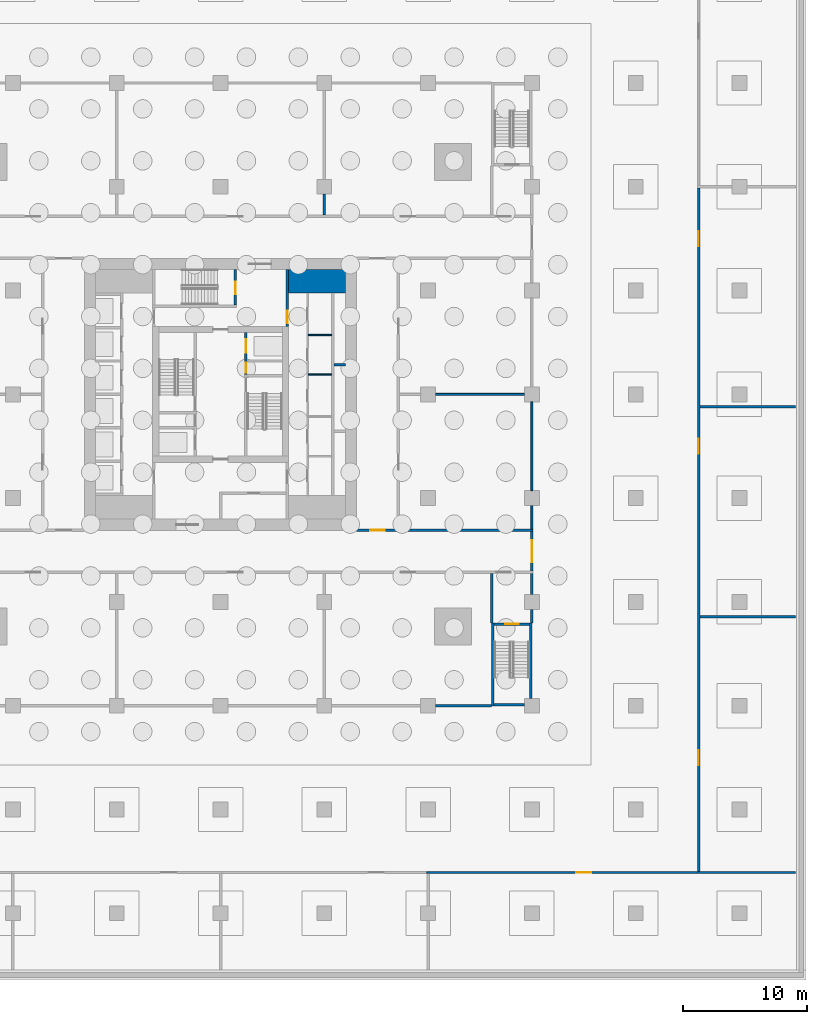
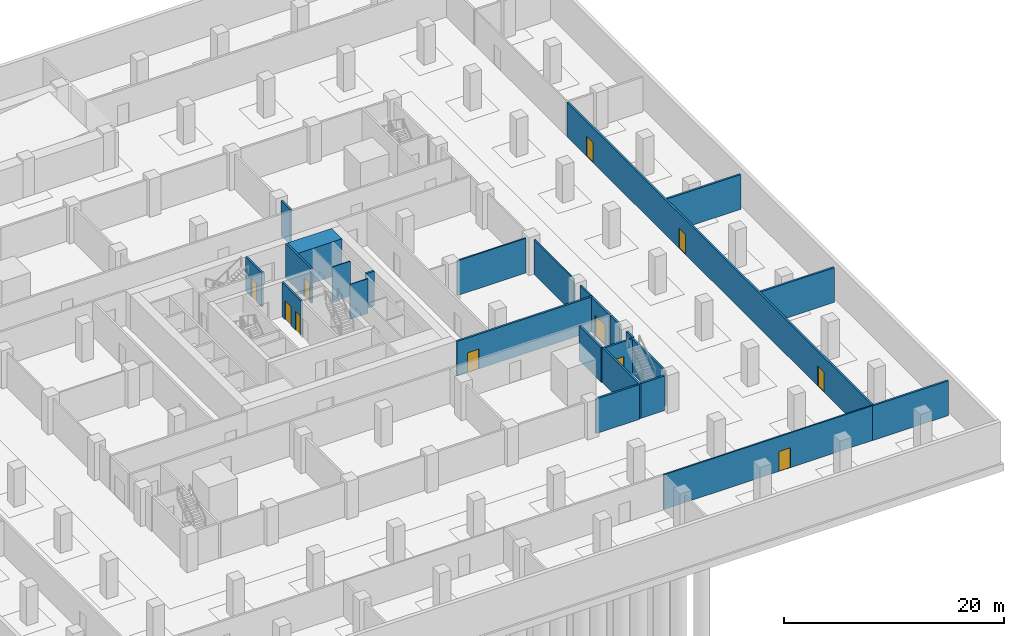
# One storey, part 9 of 19: 26 walls, 11 doors, 11 openings.
"""IFC4 building model written with IfcOpenShell, lengths in metres."""

from ifc_helpers import new_model, si_unit, direction, frame, frame_2d, origin, place, context, subcontext, project, spatial, rectangle, extrude, material, layer, layer_set, type_object, element, fill, save


model = new_model("IFC4")

# Units and contexts
model_context = context("Model", 3, precision=1e-05, world=origin(), true_north=direction((0.0, 1.0)))
body_context = subcontext(model_context, "Body", "Model", "MODEL_VIEW")
ifc_project = project(units=[si_unit("LENGTHUNIT", "METRE"), si_unit("AREAUNIT", "SQUARE_METRE"), si_unit("VOLUMEUNIT", "CUBIC_METRE"), si_unit("PLANEANGLEUNIT", "RADIAN"), si_unit("MASSUNIT", "GRAM", prefix="KILO")], contexts=[model_context])

# Site, building, storey
site_placement = place(None, origin())
site = spatial("IfcSite", under=ifc_project, at=site_placement, CompositionType="ELEMENT")
building_placement = place(site_placement, origin())
building = spatial("IfcBuilding", under=site, at=building_placement, Name="Khepri Terraces", CompositionType="ELEMENT")
storey_placement = place(building_placement, frame((0.0, 0.0, -8.39990234375)))
storey = spatial("IfcBuildingStorey", under=building, at=storey_placement, Name="B2", CompositionType="ELEMENT", Elevation=-8.39990234375)

# Wall
ifc_material_1 = material(Name="Concrete C80/95", Category="concrete")
ifc_layer_1 = layer(ifc_material_1, 1.89990234375, Name="Concrete C80/95", Category="concrete")
ifc_layer_set_1 = layer_set([ifc_layer_1], Name="Concrete C80/95")
wall_type_1 = type_object("IfcWallType", Name="Core wall 1900 C80/95", PredefinedType="SHEAR", material=ifc_layer_set_1)
wall_1_placement = place(storey_placement, frame((5.5, 9.14990234375, 0.0), z_axis=(0.0, 0.0, 1.0), x_axis=(1.0, 0.0, 0.0)))
element("IfcWall", 1, at=wall_1_placement, inside=storey, type_object=wall_type_1, Name="Core wall PR04 B2", PredefinedType="SHEAR", context=body_context, shape_type="SweptSolid", body=[
    extrude(rectangle(XDim=4.60009765625, YDim=1.89990234375, at=frame_2d((2.300048828125, 0.0))), origin(), (0.0, 0.0, 1.0), 3.849853515625),
])

# Wall, opening, door
ifc_layer_2 = layer(ifc_material_1, 0.199951171875, Name="Concrete C80/95", Category="concrete")
ifc_layer_set_2 = layer_set([ifc_layer_2], Name="Concrete C80/95")
wall_type_2 = type_object("IfcWallType", Name="Core wall 200 C80/95", PredefinedType="SHEAR", material=ifc_layer_set_2)
wall_2_placement = place(storey_placement, frame((1.199951171875, 7.25, 0.0), z_axis=(0.0, 0.0, 1.0), x_axis=(0.0, 1.0, 0.0)))
wall_2 = element("IfcWall", 2, at=wall_2_placement, inside=storey, type_object=wall_type_2, Name="Core wall ST07 B2", PredefinedType="SHEAR", context=body_context, shape_type="SweptSolid", body=[
    extrude(rectangle(XDim=2.85009765625, YDim=0.199951171875, at=frame_2d((1.425048828125, 0.0))), origin(), (0.0, 0.0, 1.0), 3.849853515625),
])
opening_1_placement = place(wall_2_placement, frame((0.85009765625, 0.0, 0.0)))
opening_1 = element("IfcOpeningElement", 3, at=opening_1_placement, cuts=wall_2, Name="Opening B2-C15", PredefinedType="OPENING", context=body_context, shape_type="SweptSolid", body=[
    extrude(rectangle(XDim=1.0, YDim=2.10009765625, at=frame_2d((0.5, 1.050048828125))), frame((0.0, 0.10986328125, 0.0), z_axis=(0.0, -1.0, 0.0), x_axis=(1.0, 0.0, 0.0)), (0.0, 0.0, 1.0), 0.219970703125),
])
ifc_material_2 = material(Name="Painted steel", Category="steel")
door_type_1 = type_object("IfcDoorType", Name="DR-CORE-STAIR-1000", OperationType="NOTDEFINED", PredefinedType="DOOR", material=ifc_material_2)
door_1_placement = place(opening_1_placement, origin())
door_1 = element("IfcDoor", 4, at=door_1_placement, inside=storey, type_object=door_type_1, Name="Stair door B2-C15", OperationType="SINGLE_SWING_LEFT", OverallHeight=2.10009765625, OverallWidth=1.0, PredefinedType="DOOR", context=body_context, shape_type="SweptSolid", body=[
    extrude(rectangle(XDim=1.0, YDim=2.10009765625, at=frame_2d((0.5, 1.050048828125))), frame((0.0, 0.02490234375, 0.0), z_axis=(0.0, -1.0, 0.0), x_axis=(1.0, 0.0, 0.0)), (0.0, 0.0, 1.0), 0.050048828125),
])
fill(opening_1, door_1)

# Wall, openings, doors
wall_3_placement = place(storey_placement, frame((2.050048828125, 1.60009765625, 0.0), z_axis=(0.0, 0.0, 1.0), x_axis=(0.0, 1.0, 0.0)))
wall_3 = element("IfcWall", 5, at=wall_3_placement, inside=storey, type_object=wall_type_2, Name="Core wall SH10 B2", PredefinedType="SHEAR", context=body_context, shape_type="SweptSolid", body=[
    extrude(rectangle(XDim=3.39990234375, YDim=0.199951171875, at=frame_2d((1.699951171875, 0.0))), origin(), (0.0, 0.0, 1.0), 3.849853515625),
])
opening_2_placement = place(wall_3_placement, frame((1.75, 0.0, 0.0)))
opening_2 = element("IfcOpeningElement", 6, at=opening_2_placement, cuts=wall_3, Name="Opening B2-C07", PredefinedType="OPENING", context=body_context, shape_type="SweptSolid", body=[
    extrude(rectangle(XDim=1.10009765625, YDim=2.10009765625, at=frame_2d((0.550048828125, 1.050048828125))), frame((0.0, 0.10986328125, 0.0), z_axis=(0.0, -1.0, 0.0), x_axis=(1.0, 0.0, 0.0)), (0.0, 0.0, 1.0), 0.219970703125),
])
opening_3_placement = place(wall_3_placement, frame((0.14990234375, 0.0, 0.0)))
opening_3 = element("IfcOpeningElement", 7, at=opening_3_placement, cuts=wall_3, Name="Opening B2-C11", PredefinedType="OPENING", context=body_context, shape_type="SweptSolid", body=[
    extrude(rectangle(XDim=0.800048828125, YDim=2.10009765625, at=frame_2d((0.39990234375, 1.050048828125))), frame((0.0, 0.10986328125, 0.0), z_axis=(0.0, -1.0, 0.0), x_axis=(1.0, 0.0, 0.0)), (0.0, 0.0, 1.0), 0.219970703125),
])
ifc_material_3 = material(Name="Stainless steel 304", Category="steel")
door_type_2 = type_object("IfcDoorType", Name="DR-CORE-FF-LANDING-1100", OperationType="NOTDEFINED", PredefinedType="DOOR", material=ifc_material_3)
door_2_placement = place(opening_2_placement, origin())
door_2 = element("IfcDoor", 8, at=door_2_placement, inside=storey, type_object=door_type_2, Name="Firefighting lift landing door B2-C07", OperationType="SLIDING_TO_LEFT", OverallHeight=2.10009765625, OverallWidth=1.10009765625, PredefinedType="DOOR", context=body_context, shape_type="SweptSolid", body=[
    extrude(rectangle(XDim=1.10009765625, YDim=2.10009765625, at=frame_2d((0.550048828125, 1.050048828125))), frame((0.0, 0.02490234375, 0.0), z_axis=(0.0, -1.0, 0.0), x_axis=(1.0, 0.0, 0.0)), (0.0, 0.0, 1.0), 0.050048828125),
])
fill(opening_2, door_2)
door_type_3 = type_object("IfcDoorType", Name="DR-CORE-RISER-800", OperationType="NOTDEFINED", PredefinedType="DOOR", material=ifc_material_2)
door_3_placement = place(opening_3_placement, frame((0.800048828125, 0.0, 0.0), z_axis=(0.0, 0.0, 1.0), x_axis=(-1.0, 0.0, 0.0)))
door_3 = element("IfcDoor", 9, at=door_3_placement, inside=storey, type_object=door_type_3, Name="Riser door B2-C11", OperationType="SINGLE_SWING_RIGHT", OverallHeight=2.10009765625, OverallWidth=0.800048828125, PredefinedType="DOOR", context=body_context, shape_type="SweptSolid", body=[
    extrude(rectangle(XDim=0.800048828125, YDim=2.10009765625, at=frame_2d((0.39990234375, 1.050048828125))), frame((0.0, 0.02490234375, 0.0), z_axis=(0.0, -1.0, 0.0), x_axis=(1.0, 0.0, 0.0)), (0.0, 0.0, 1.0), 0.050048828125),
])
fill(opening_3, door_3)

# Walls
wall_4_placement = place(storey_placement, frame((9.199951171875, 2.39990234375, 0.0), z_axis=(0.0, 0.0, 1.0), x_axis=(1.0, 0.0, 0.0)))
element("IfcWall", 10, at=wall_4_placement, inside=storey, type_object=wall_type_2, Name="Core wall SH11 B2", PredefinedType="SHEAR", context=body_context, shape_type="SweptSolid", body=[
    extrude(rectangle(XDim=0.900146484375, YDim=0.199951171875, at=frame_2d((0.4501953125, 0.0))), origin(), (0.0, 0.0, 1.0), 3.849853515625),
])
ifc_material_4 = material(Name="Fire-rated gypsum board partition")
ifc_layer_3 = layer(ifc_material_4, 0.10009765625, Name="Fire-rated gypsum board partition")
ifc_layer_set_3 = layer_set([ifc_layer_3], Name="Fire-rated gypsum board partition")
wall_type_3 = type_object("IfcWallType", Name="WL-CORE-PART-100", PredefinedType="PARTITIONING", material=ifc_layer_set_3)
for number, where, z_axis, x_axis, name in (
    (11, (7.10009765625, 1.60009765625, 0.0), (0.0, 0.0, 1.0), (1.0, 0.0, 0.0), "Core partition PT08 B2"),
    (12, (7.10009765625, 4.800048828125, 0.0), (0.0, 0.0, 1.0), (1.0, 0.0, 0.0), "Core partition PT09 B2"),
):
    element("IfcWall", number, at=place(storey_placement, frame(where, z_axis=z_axis, x_axis=x_axis)), inside=storey, type_object=wall_type_3, Name=name, PredefinedType="PARTITIONING", context=body_context, shape_type="SweptSolid", body=[
        extrude(rectangle(XDim=1.89990234375, YDim=0.10009765625, at=frame_2d((0.949951171875, 0.0))), origin(), (0.0, 0.0, 1.0), 3.849853515625),
    ])

# Wall, opening, door
ifc_layer_4 = layer(ifc_material_4, 0.199951171875, Name="Fire-rated gypsum board partition")
ifc_layer_set_4 = layer_set([ifc_layer_4], Name="Fire-rated gypsum board partition")
wall_type_4 = type_object("IfcWallType", Name="WL-CORE-PART-200", PredefinedType="PARTITIONING", material=ifc_layer_set_4)
wall_5_placement = place(storey_placement, frame((5.39990234375, 5.5, 0.0), z_axis=(0.0, 0.0, 1.0), x_axis=(0.0, 1.0, 0.0)))
wall_5 = element("IfcWall", 13, at=wall_5_placement, inside=storey, type_object=wall_type_4, Name="Core partition PT11 B2", PredefinedType="PARTITIONING", context=body_context, shape_type="SweptSolid", body=[
    extrude(rectangle(XDim=4.60009765625, YDim=0.199951171875, at=frame_2d((2.300048828125, 0.0))), origin(), (0.0, 0.0, 1.0), 3.849853515625),
])
opening_4_placement = place(wall_5_placement, frame((0.25, 0.0, 0.0)))
opening_4 = element("IfcOpeningElement", 14, at=opening_4_placement, cuts=wall_5, Name="Opening B2-C17", PredefinedType="OPENING", context=body_context, shape_type="SweptSolid", body=[
    extrude(rectangle(XDim=1.0, YDim=2.10009765625, at=frame_2d((0.5, 1.050048828125))), frame((0.0, 0.10986328125, 0.0), z_axis=(0.0, -1.0, 0.0), x_axis=(1.0, 0.0, 0.0)), (0.0, 0.0, 1.0), 0.219970703125),
])
door_type_4 = type_object("IfcDoorType", Name="DR-CORE-LOBBY-1000", OperationType="NOTDEFINED", PredefinedType="DOOR", material=ifc_material_2)
door_4_placement = place(opening_4_placement, origin())
door_4 = element("IfcDoor", 15, at=door_4_placement, inside=storey, type_object=door_type_4, Name="Lobby door B2-C17", OperationType="SINGLE_SWING_LEFT", OverallHeight=2.10009765625, OverallWidth=1.0, PredefinedType="DOOR", context=body_context, shape_type="SweptSolid", body=[
    extrude(rectangle(XDim=1.0, YDim=2.10009765625, at=frame_2d((0.5, 1.050048828125))), frame((0.0, 0.02490234375, 0.0), z_axis=(0.0, -1.0, 0.0), x_axis=(1.0, 0.0, 0.0)), (0.0, 0.0, 1.0), 0.050048828125),
])
fill(opening_4, door_4)

ifc_material_5 = material(Name="Gypsum board partition")
ifc_layer_5 = layer(ifc_material_5, 0.14990234375, Name="Gypsum board partition")
ifc_layer_set_5 = layer_set([ifc_layer_5], Name="Gypsum board partition")
wall_type_5 = type_object("IfcWallType", Name="WL-POD-150", PredefinedType="PARTITIONING", material=ifc_layer_set_5)
wall_6_placement = place(storey_placement, frame((16.699951171875, -38.699951171875, 0.0), z_axis=(0.0, 0.0, 1.0), x_axis=(1.0, 0.0, 0.0)))
wall_6 = element("IfcWall", 16, at=wall_6_placement, inside=storey, type_object=wall_type_5, Name="Partition B2-PW004", PredefinedType="PARTITIONING", context=body_context, shape_type="SweptSolid", body=[
    extrude(rectangle(XDim=22.10009765625, YDim=0.14990234375, at=frame_2d((11.050048828125, 0.0))), origin(), (0.0, 0.0, 1.0), 3.849853515625),
])
opening_5_placement = place(wall_6_placement, frame((12.10009765625, 0.0, 0.0)))
opening_5 = element("IfcOpeningElement", 17, at=opening_5_placement, cuts=wall_6, Name="Opening B2-P04", PredefinedType="OPENING", context=body_context, shape_type="SweptSolid", body=[
    extrude(rectangle(XDim=1.199951171875, YDim=2.199951171875, at=frame_2d((0.60009765625, 1.10009765625))), frame((0.0, 0.0849609375, 0.0), z_axis=(0.0, -1.0, 0.0), x_axis=(1.0, 0.0, 0.0)), (0.0, 0.0, 1.0), 0.169921875),
])
ifc_material_6 = material(Name="Timber veneer", Category="wood")
door_type_5 = type_object("IfcDoorType", Name="DR-POD-SINGLE-1200", OperationType="NOTDEFINED", PredefinedType="DOOR", material=ifc_material_6)
door_5_placement = place(opening_5_placement, origin())
door_5 = element("IfcDoor", 18, at=door_5_placement, inside=storey, type_object=door_type_5, Name="Door B2-P04", OperationType="SINGLE_SWING_LEFT", OverallHeight=2.199951171875, OverallWidth=1.199951171875, PredefinedType="DOOR", context=body_context, shape_type="SweptSolid", body=[
    extrude(rectangle(XDim=1.199951171875, YDim=2.199951171875, at=frame_2d((0.60009765625, 1.10009765625))), frame((0.0, 0.02490234375, 0.0), z_axis=(0.0, -1.0, 0.0), x_axis=(1.0, 0.0, 0.0)), (0.0, 0.0, 1.0), 0.050048828125),
])
fill(opening_5, door_5)

# Walls
wall_7_placement = place(storey_placement, frame((17.39990234375, 0.0, 0.0), z_axis=(0.0, 0.0, 1.0), x_axis=(1.0, 0.0, 0.0)))
element("IfcWall", 19, at=wall_7_placement, inside=storey, type_object=wall_type_5, Name="Partition B2-PW023", PredefinedType="PARTITIONING", context=body_context, shape_type="SweptSolid", body=[
    extrude(rectangle(XDim=7.2001953125, YDim=0.14990234375, at=frame_2d((3.60009765625, 0.0))), origin(), (0.0, 0.0, 1.0), 3.849853515625),
])
wall_8_placement = place(storey_placement, frame((25.199951171875, -10.89990234375, 0.0), z_axis=(0.0, 0.0, 1.0), x_axis=(0.0, 1.0, 0.0)))
element("IfcWall", 20, at=wall_8_placement, inside=storey, type_object=wall_type_5, Name="Partition B2-PW094", PredefinedType="PARTITIONING", context=body_context, shape_type="SweptSolid", body=[
    extrude(rectangle(XDim=1.89990234375, YDim=0.14990234375, at=frame_2d((0.949951171875, 0.0))), origin(), (0.0, 0.0, 1.0), 3.849853515625),
])
wall_9_placement = place(storey_placement, frame((25.199951171875, -7.800048828125, 0.0), z_axis=(0.0, 0.0, 1.0), x_axis=(0.0, 1.0, 0.0)))
element("IfcWall", 21, at=wall_9_placement, inside=storey, type_object=wall_type_5, Name="Partition B2-PW095", PredefinedType="PARTITIONING", context=body_context, shape_type="SweptSolid", body=[
    extrude(rectangle(XDim=7.199951171875, YDim=0.14990234375, at=frame_2d((3.60009765625, 0.0))), origin(), (0.0, 0.0, 1.0), 3.849853515625),
])
ifc_material_7 = material(Name="Fire-rated block wall")
ifc_layer_6 = layer(ifc_material_7, 0.199951171875, Name="Fire-rated block wall")
ifc_layer_set_6 = layer_set([ifc_layer_6], Name="Fire-rated block wall")
wall_type_6 = type_object("IfcWallType", Name="WL-POD-200-EI120", PredefinedType="PARTITIONING", material=ifc_layer_set_6)
wall_10_placement = place(storey_placement, frame((38.60009765625, -38.699951171875, 0.0), z_axis=(0.0, 0.0, 1.0), x_axis=(1.0, 0.0, 0.0)))
element("IfcWall", 22, at=wall_10_placement, inside=storey, type_object=wall_type_6, Name="Partition B2-PW005", PredefinedType="PARTITIONING", context=body_context, shape_type="SweptSolid", body=[
    extrude(rectangle(XDim=7.949951171875, YDim=0.199951171875, at=frame_2d((3.97509765625, 0.0))), origin(), (0.0, 0.0, 1.0), 3.849853515625),
])
wall_11_placement = place(storey_placement, frame((17.39990234375, -25.199951171875, 0.0), z_axis=(0.0, 0.0, 1.0), x_axis=(1.0, 0.0, 0.0)))
element("IfcWall", 23, at=wall_11_placement, inside=storey, type_object=wall_type_6, Name="Partition B2-PW011", PredefinedType="PARTITIONING", context=body_context, shape_type="SweptSolid", body=[
    extrude(rectangle(XDim=4.550048828125, YDim=0.199951171875, at=frame_2d((2.27490234375, 0.0))), origin(), (0.0, 0.0, 1.0), 3.849853515625),
])
for number, where, z_axis, x_axis, name in (
    (24, (38.800048828125, -18.0, 0.0), (0.0, 0.0, 1.0), (1.0, 0.0, 0.0), "Partition B2-PW012"),
    (25, (38.800048828125, -1.0, 0.0), (0.0, 0.0, 1.0), (1.0, 0.0, 0.0), "Partition B2-PW017"),
):
    element("IfcWall", number, at=place(storey_placement, frame(where, z_axis=z_axis, x_axis=x_axis)), inside=storey, type_object=wall_type_6, Name=name, PredefinedType="PARTITIONING", context=body_context, shape_type="SweptSolid", body=[
        extrude(rectangle(XDim=7.75, YDim=0.199951171875, at=frame_2d((3.875, 0.0))), origin(), (0.0, 0.0, 1.0), 3.849853515625),
    ])
wall_12_placement = place(storey_placement, frame((8.39990234375, 14.5, 0.0), z_axis=(0.0, 0.0, 1.0), x_axis=(0.0, 1.0, 0.0)))
element("IfcWall", 26, at=wall_12_placement, inside=storey, type_object=wall_type_6, Name="Partition B2-PW084", PredefinedType="PARTITIONING", context=body_context, shape_type="SweptSolid", body=[
    extrude(rectangle(XDim=1.699951171875, YDim=0.199951171875, at=frame_2d((0.85009765625, 0.0))), origin(), (0.0, 0.0, 1.0), 3.849853515625),
])
wall_13_placement = place(storey_placement, frame((21.949951171875, -18.5, 0.0), z_axis=(0.0, 0.0, 1.0), x_axis=(0.0, 1.0, 0.0)))
element("IfcWall", 27, at=wall_13_placement, inside=storey, type_object=wall_type_6, Name="Partition B2-PW089", PredefinedType="PARTITIONING", context=body_context, shape_type="SweptSolid", body=[
    extrude(rectangle(XDim=4.0, YDim=0.199951171875, at=frame_2d((2.0, 0.0))), origin(), (0.0, 0.0, 1.0), 3.849853515625),
])
wall_14_placement = place(storey_placement, frame((25.199951171875, -18.5, 0.0), z_axis=(0.0, 0.0, 1.0), x_axis=(0.0, 1.0, 0.0)))
element("IfcWall", 28, at=wall_14_placement, inside=storey, type_object=wall_type_6, Name="Partition B2-PW091", PredefinedType="PARTITIONING", context=body_context, shape_type="SweptSolid", body=[
    extrude(rectangle(XDim=1.10009765625, YDim=0.199951171875, at=frame_2d((0.550048828125, 0.0))), origin(), (0.0, 0.0, 1.0), 3.849853515625),
])
wall_15_placement = place(storey_placement, frame((25.199951171875, -16.199951171875, 0.0), z_axis=(0.0, 0.0, 1.0), x_axis=(0.0, 1.0, 0.0)))
element("IfcWall", 29, at=wall_15_placement, inside=storey, type_object=wall_type_6, Name="Partition B2-PW092", PredefinedType="PARTITIONING", context=body_context, shape_type="SweptSolid", body=[
    extrude(rectangle(XDim=1.699951171875, YDim=0.199951171875, at=frame_2d((0.85009765625, 0.0))), origin(), (0.0, 0.0, 1.0), 3.849853515625),
])

# Wall, openings, doors
wall_16_placement = place(storey_placement, frame((38.699951171875, -38.60009765625, 0.0), z_axis=(0.0, 0.0, 1.0), x_axis=(0.0, 1.0, 0.0)))
wall_16 = element("IfcWall", 30, at=wall_16_placement, inside=storey, type_object=wall_type_6, Name="Partition B2-PW101", PredefinedType="PARTITIONING", context=body_context, shape_type="SweptSolid", body=[
    extrude(rectangle(XDim=55.300048828125, YDim=0.199951171875, at=frame_2d((27.64990234375, 0.0))), origin(), (0.0, 0.0, 1.0), 3.849853515625),
])
opening_6_placement = place(wall_16_placement, frame((8.60009765625, 0.0, 0.0)))
opening_6 = element("IfcOpeningElement", 31, at=opening_6_placement, cuts=wall_16, Name="Opening B2-P06", PredefinedType="OPENING", context=body_context, shape_type="SweptSolid", body=[
    extrude(rectangle(XDim=1.199951171875, YDim=2.199951171875, at=frame_2d((0.60009765625, 1.10009765625))), frame((0.0, 0.10986328125, 0.0), z_axis=(0.0, -1.0, 0.0), x_axis=(1.0, 0.0, 0.0)), (0.0, 0.0, 1.0), 0.219970703125),
])
opening_7_placement = place(wall_16_placement, frame((33.800048828125, 0.0, 0.0)))
opening_7 = element("IfcOpeningElement", 32, at=opening_7_placement, cuts=wall_16, Name="Opening B2-P19", PredefinedType="OPENING", context=body_context, shape_type="SweptSolid", body=[
    extrude(rectangle(XDim=1.199951171875, YDim=2.199951171875, at=frame_2d((0.60009765625, 1.10009765625))), frame((0.0, 0.10986328125, 0.0), z_axis=(0.0, -1.0, 0.0), x_axis=(1.0, 0.0, 0.0)), (0.0, 0.0, 1.0), 0.219970703125),
])
opening_8_placement = place(wall_16_placement, frame((50.60009765625, 0.0, 0.0)))
opening_8 = element("IfcOpeningElement", 33, at=opening_8_placement, cuts=wall_16, Name="Opening B2-P25", PredefinedType="OPENING", context=body_context, shape_type="SweptSolid", body=[
    extrude(rectangle(XDim=1.199951171875, YDim=2.199951171875, at=frame_2d((0.60009765625, 1.10009765625))), frame((0.0, 0.10986328125, 0.0), z_axis=(0.0, -1.0, 0.0), x_axis=(1.0, 0.0, 0.0)), (0.0, 0.0, 1.0), 0.219970703125),
])
door_type_6 = type_object("IfcDoorType", Name="DR-POD-PLANT-1200", OperationType="NOTDEFINED", PredefinedType="DOOR", material=ifc_material_2)
door_6_placement = place(opening_6_placement, origin())
door_6 = element("IfcDoor", 34, at=door_6_placement, inside=storey, type_object=door_type_6, Name="Plant room door B2-P06", OperationType="SINGLE_SWING_RIGHT", OverallHeight=2.199951171875, OverallWidth=1.199951171875, PredefinedType="DOOR", context=body_context, shape_type="SweptSolid", body=[
    extrude(rectangle(XDim=1.199951171875, YDim=2.199951171875, at=frame_2d((0.60009765625, 1.10009765625))), frame((0.0, 0.02490234375, 0.0), z_axis=(0.0, -1.0, 0.0), x_axis=(1.0, 0.0, 0.0)), (0.0, 0.0, 1.0), 0.050048828125),
])
fill(opening_6, door_6)
door_7_placement = place(opening_7_placement, origin())
door_7 = element("IfcDoor", 35, at=door_7_placement, inside=storey, type_object=door_type_6, Name="Plant room door B2-P19", OperationType="SINGLE_SWING_LEFT", OverallHeight=2.199951171875, OverallWidth=1.199951171875, PredefinedType="DOOR", context=body_context, shape_type="SweptSolid", body=[
    extrude(rectangle(XDim=1.199951171875, YDim=2.199951171875, at=frame_2d((0.60009765625, 1.10009765625))), frame((0.0, 0.02490234375, 0.0), z_axis=(0.0, -1.0, 0.0), x_axis=(1.0, 0.0, 0.0)), (0.0, 0.0, 1.0), 0.050048828125),
])
fill(opening_7, door_7)
door_8_placement = place(opening_8_placement, origin())
door_8 = element("IfcDoor", 36, at=door_8_placement, inside=storey, type_object=door_type_6, Name="Plant room door B2-P25", OperationType="SINGLE_SWING_LEFT", OverallHeight=2.199951171875, OverallWidth=1.199951171875, PredefinedType="DOOR", context=body_context, shape_type="SweptSolid", body=[
    extrude(rectangle(XDim=1.199951171875, YDim=2.199951171875, at=frame_2d((0.60009765625, 1.10009765625))), frame((0.0, 0.02490234375, 0.0), z_axis=(0.0, -1.0, 0.0), x_axis=(1.0, 0.0, 0.0)), (0.0, 0.0, 1.0), 0.050048828125),
])
fill(opening_8, door_8)

# Wall, opening, door
ifc_layer_7 = layer(ifc_material_7, 0.199951171875, Name="Fire-rated block wall")
ifc_layer_set_7 = layer_set([ifc_layer_7], Name="Fire-rated block wall")
wall_type_7 = type_object("IfcWallType", Name="WL-POD-200-EI60", PredefinedType="PARTITIONING", material=ifc_layer_set_7)
wall_17_placement = place(storey_placement, frame((11.0, -11.0, 0.0), z_axis=(0.0, 0.0, 1.0), x_axis=(1.0, 0.0, 0.0)))
wall_17 = element("IfcWall", 37, at=wall_17_placement, inside=storey, type_object=wall_type_7, Name="Partition B2-PW016", PredefinedType="PARTITIONING", context=body_context, shape_type="SweptSolid", body=[
    extrude(rectangle(XDim=14.300048828125, YDim=0.199951171875, at=frame_2d((7.14990234375, 0.0))), origin(), (0.0, 0.0, 1.0), 3.849853515625),
])
opening_9_placement = place(wall_17_placement, frame((1.10009765625, 0.0, 0.0)))
opening_9 = element("IfcOpeningElement", 38, at=opening_9_placement, cuts=wall_17, Name="Opening B2-P15", PredefinedType="OPENING", context=body_context, shape_type="SweptSolid", body=[
    extrude(rectangle(XDim=1.199951171875, YDim=2.199951171875, at=frame_2d((0.60009765625, 1.10009765625))), frame((0.0, 0.10986328125, 0.0), z_axis=(0.0, -1.0, 0.0), x_axis=(1.0, 0.0, 0.0)), (0.0, 0.0, 1.0), 0.219970703125),
])
door_type_7 = type_object("IfcDoorType", Name="DR-POD-FIRE-1200", OperationType="NOTDEFINED", PredefinedType="DOOR", material=ifc_material_2)
door_9_placement = place(opening_9_placement, origin())
door_9 = element("IfcDoor", 39, at=door_9_placement, inside=storey, type_object=door_type_7, Name="Fire door B2-P15", OperationType="SINGLE_SWING_RIGHT", OverallHeight=2.199951171875, OverallWidth=1.199951171875, PredefinedType="DOOR", context=body_context, shape_type="SweptSolid", body=[
    extrude(rectangle(XDim=1.199951171875, YDim=2.199951171875, at=frame_2d((0.60009765625, 1.10009765625))), frame((0.0, 0.02490234375, 0.0), z_axis=(0.0, -1.0, 0.0), x_axis=(1.0, 0.0, 0.0)), (0.0, 0.0, 1.0), 0.050048828125),
])
fill(opening_9, door_9)

wall_18_placement = place(storey_placement, frame((25.199951171875, -14.300048828125, 0.0), z_axis=(0.0, 0.0, 1.0), x_axis=(0.0, 1.0, 0.0)))
wall_18 = element("IfcWall", 40, at=wall_18_placement, inside=storey, type_object=wall_type_7, Name="Partition B2-PW093", PredefinedType="PARTITIONING", context=body_context, shape_type="SweptSolid", body=[
    extrude(rectangle(XDim=3.199951171875, YDim=0.199951171875, at=frame_2d((1.60009765625, 0.0))), origin(), (0.0, 0.0, 1.0), 3.849853515625),
])
opening_10_placement = place(wall_18_placement, frame((0.699951171875, 0.0, 0.0)))
opening_10 = element("IfcOpeningElement", 41, at=opening_10_placement, cuts=wall_18, Name="Opening B2-P13", PredefinedType="OPENING", context=body_context, shape_type="SweptSolid", body=[
    extrude(rectangle(XDim=1.800048828125, YDim=2.199951171875, at=frame_2d((0.89990234375, 1.10009765625))), frame((0.0, 0.10986328125, 0.0), z_axis=(0.0, -1.0, 0.0), x_axis=(1.0, 0.0, 0.0)), (0.0, 0.0, 1.0), 0.219970703125),
])
door_type_8 = type_object("IfcDoorType", Name="DR-POD-FIRE-PAIR-1800", OperationType="DOUBLE_DOOR_SINGLE_SWING", PredefinedType="DOOR", material=ifc_material_2)
door_10_placement = place(opening_10_placement, origin())
door_10 = element("IfcDoor", 42, at=door_10_placement, inside=storey, type_object=door_type_8, Name="Fire door pair B2-P13", OperationType="DOUBLE_DOOR_SINGLE_SWING", OverallHeight=2.199951171875, OverallWidth=1.800048828125, PredefinedType="DOOR", context=body_context, shape_type="SweptSolid", body=[
    extrude(rectangle(XDim=1.800048828125, YDim=2.199951171875, at=frame_2d((0.89990234375, 1.10009765625))), frame((0.0, 0.02490234375, 0.0), z_axis=(0.0, -1.0, 0.0), x_axis=(1.0, 0.0, 0.0)), (0.0, 0.0, 1.0), 0.050048828125),
])
fill(opening_10, door_10)

# Walls
ifc_material_8 = material(Name="Concrete C40/50", Category="concrete")
ifc_layer_8 = layer(ifc_material_8, 0.199951171875, Name="Concrete C40/50", Category="concrete")
ifc_layer_set_8 = layer_set([ifc_layer_8], Name="Concrete C40/50")
wall_type_8 = type_object("IfcWallType", Name="WL-POD-STAIR-200", PredefinedType="SOLIDWALL", material=ifc_layer_set_8)
wall_19_placement = place(storey_placement, frame((22.050048828125, -25.239990234375, 0.0), z_axis=(0.0, 0.0, 1.0), x_axis=(0.0, 1.0, 0.0)))
element("IfcWall", 43, at=wall_19_placement, inside=storey, type_object=wall_type_8, Name="Stair enclosure PS-3 B2-W", PredefinedType="SOLIDWALL", context=body_context, shape_type="SweptSolid", body=[
    extrude(rectangle(XDim=6.739990234375, YDim=0.199951171875, at=frame_2d((3.3701171875, 0.0))), origin(), (0.0, 0.0, 1.0), 3.849853515625),
])
wall_20_placement = place(storey_placement, frame((25.10009765625, -24.60009765625, 0.0), z_axis=(0.0, 0.0, 1.0), x_axis=(0.0, 1.0, 0.0)))
element("IfcWall", 44, at=wall_20_placement, inside=storey, type_object=wall_type_8, Name="Stair enclosure PS-3 B2-E", PredefinedType="SOLIDWALL", context=body_context, shape_type="SweptSolid", body=[
    extrude(rectangle(XDim=6.10009765625, YDim=0.199951171875, at=frame_2d((3.050048828125, 0.0))), origin(), (0.0, 0.0, 1.0), 3.849853515625),
])
wall_21_placement = place(storey_placement, frame((22.14990234375, -25.139892578125, 0.0), z_axis=(0.0, 0.0, 1.0), x_axis=(1.0, 0.0, 0.0)))
element("IfcWall", 45, at=wall_21_placement, inside=storey, type_object=wall_type_8, Name="Stair enclosure PS-3 B2-S", PredefinedType="SOLIDWALL", context=body_context, shape_type="SweptSolid", body=[
    extrude(rectangle(XDim=2.4501953125, YDim=0.199951171875, at=frame_2d((1.22509765625, 0.0))), origin(), (0.0, 0.0, 1.0), 3.849853515625),
])

# Wall, opening, door
wall_22_placement = place(storey_placement, frame((22.14990234375, -18.60009765625, 0.0), z_axis=(0.0, 0.0, 1.0), x_axis=(1.0, 0.0, 0.0)))
wall_22 = element("IfcWall", 46, at=wall_22_placement, inside=storey, type_object=wall_type_8, Name="Stair enclosure PS-3 B2-N", PredefinedType="SOLIDWALL", context=body_context, shape_type="SweptSolid", body=[
    extrude(rectangle(XDim=2.85009765625, YDim=0.199951171875, at=frame_2d((1.425048828125, 0.0))), origin(), (0.0, 0.0, 1.0), 3.849853515625),
])
opening_11_placement = place(wall_22_placement, frame((0.875, 0.0, 0.0)))
opening_11 = element("IfcOpeningElement", 47, at=opening_11_placement, cuts=wall_22, Name="Opening B2-PS-3D", PredefinedType="OPENING", context=body_context, shape_type="SweptSolid", body=[
    extrude(rectangle(XDim=1.10009765625, YDim=2.199951171875, at=frame_2d((0.550048828125, 1.10009765625))), frame((0.0, 0.10986328125, 0.0), z_axis=(0.0, -1.0, 0.0), x_axis=(1.0, 0.0, 0.0)), (0.0, 0.0, 1.0), 0.219970703125),
])
door_type_9 = type_object("IfcDoorType", Name="DR-POD-STAIR-1100", OperationType="NOTDEFINED", PredefinedType="DOOR", material=ifc_material_2)
door_11_placement = place(opening_11_placement, origin())
door_11 = element("IfcDoor", 48, at=door_11_placement, inside=storey, type_object=door_type_9, Name="Stair door B2-PS-3D", OperationType="SINGLE_SWING_LEFT", OverallHeight=2.199951171875, OverallWidth=1.10009765625, PredefinedType="DOOR", context=body_context, shape_type="SweptSolid", body=[
    extrude(rectangle(XDim=1.10009765625, YDim=2.199951171875, at=frame_2d((0.550048828125, 1.10009765625))), frame((0.0, 0.02490234375, 0.0), z_axis=(0.0, -1.0, 0.0), x_axis=(1.0, 0.0, 0.0)), (0.0, 0.0, 1.0), 0.050048828125),
])
fill(opening_11, door_11)

save(model, "model.ifc")
